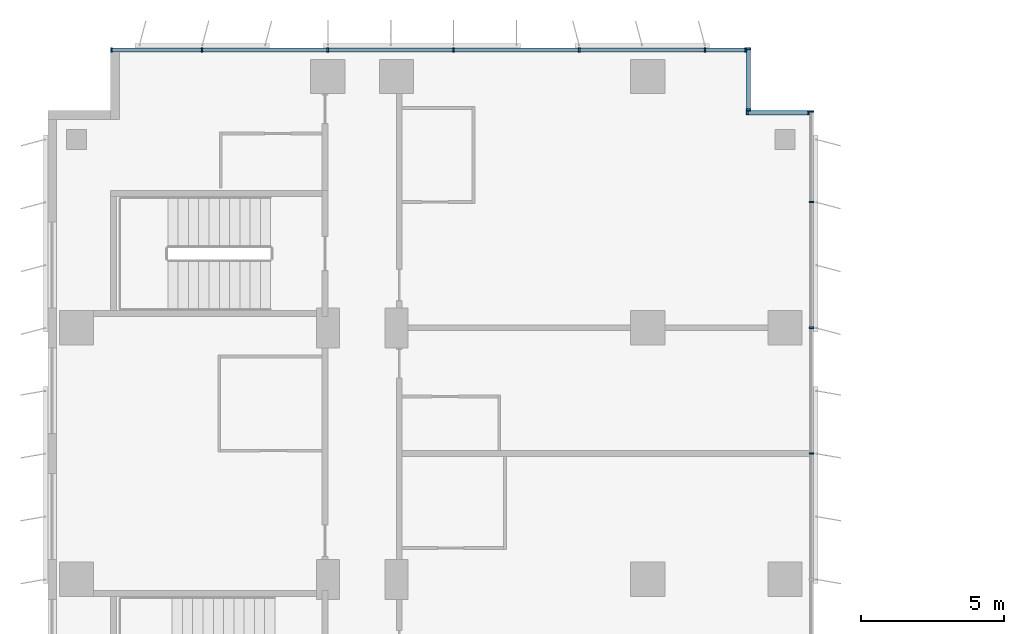
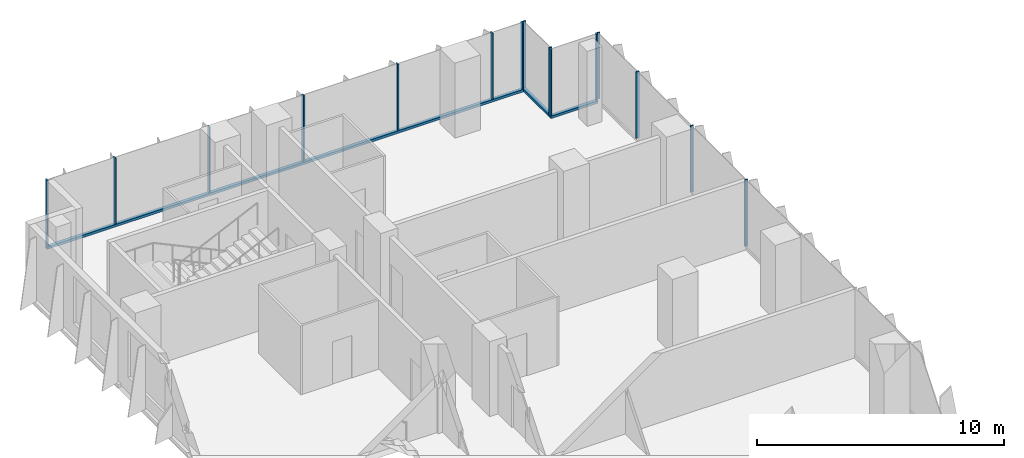
# One storey, part 9 of 27: 18 members, 4 elements without a shape of their own.
"""IFC4 building model written with IfcOpenShell, lengths in metres."""

from ifc_helpers import new_model, si_unit, direction, frame, origin, origin_2d, place, context, subcontext, project, spatial, rectangle, extrude, source, transform, mapped, material, material_profile, profile_set, type_object, element, aggregate, save


model = new_model("IFC4")

# Units and contexts
model_context = context("Model", 3, precision=1e-05, world=origin(), true_north=direction((0.0, 1.0)))
body_context = subcontext(model_context, "Body", "Model", "MODEL_VIEW")
ifc_project = project(units=[si_unit("LENGTHUNIT", "METRE"), si_unit("AREAUNIT", "SQUARE_METRE"), si_unit("VOLUMEUNIT", "CUBIC_METRE"), si_unit("PLANEANGLEUNIT", "RADIAN"), si_unit("MASSUNIT", "GRAM", prefix="KILO")], contexts=[model_context])

# Site, building, storey
site_placement = place(None, origin())
site = spatial("IfcSite", under=ifc_project, at=site_placement, CompositionType="ELEMENT")
building_placement = place(site_placement, origin())
building = spatial("IfcBuilding", under=site, at=building_placement, Name="Kemantara Hotel Tower", CompositionType="ELEMENT")
storey_placement = place(building_placement, frame((0.0, 0.0, 83.39990234375)))
storey = spatial("IfcBuildingStorey", under=building, at=storey_placement, Name="L19", CompositionType="ELEMENT", Elevation=83.39990234375)

# Curtain wall, member
ifc_material_1 = material(Name="Low-E tinted double insulated glass 36 mm", Category="glass")
curtain_wall_type = type_object("IfcCurtainWallType", Name="TOWER CURTAIN WALL, FRONT FACES", PredefinedType="USERDEFINED", material=ifc_material_1)
curtain_wall_1_placement = place(storey_placement, origin())
curtain_wall_1 = element("IfcCurtainWall", 1, at=curtain_wall_1_placement, inside=storey, type_object=curtain_wall_type, Name="CW4 L19 T2-R01-1", ObjectType="TOWER CURTAIN WALL, FRONT FACES", PredefinedType="USERDEFINED")
ifc_material_2 = material(Name="Aluminium 6063-T6 bronze anodised", Category="aluminium")
ifc_material_profile_1 = material_profile(ifc_material_2, rectangle(XDim=0.14990234375, YDim=0.1201171875, at=origin_2d()), Name="TOWER CURTAIN WALL, FRONT FACES TRANSOM")
ifc_profile_set_1 = profile_set([ifc_material_profile_1], Name="Aluminium 6063-T6 bronze anodised")
member_type_1 = type_object("IfcMemberType", Name="TOWER CURTAIN WALL, FRONT FACES TRANSOM", PredefinedType="USERDEFINED", material=ifc_profile_set_1)
member_1_placement = place(storey_placement, frame((24.449951171875, 81.125, 0.06005859375), z_axis=(-1.0, 0.0, 0.0), x_axis=(0.0, -1.0, 0.0)))
member_1 = element("IfcMember", 2, at=member_1_placement, type_object=member_type_1, Name="CW4 sill transom T2-R01-1", ObjectType="TRANSOM", PredefinedType="USERDEFINED", context=body_context, shape_type="SweptSolid", body=[
    extrude(rectangle(XDim=0.14990234375, YDim=0.1201171875, at=origin_2d()), origin(), (0.0, 0.0, 1.0), 22.25),
])

curtain_wall_2_placement = place(storey_placement, origin())
curtain_wall_2 = element("IfcCurtainWall", 3, at=curtain_wall_2_placement, inside=storey, type_object=curtain_wall_type, Name="CW4 L19 T2-R00-1", ObjectType="TOWER CURTAIN WALL, FRONT FACES", PredefinedType="USERDEFINED")
member_2_placement = place(storey_placement, frame((24.52490234375, 79.0, 0.06005859375), z_axis=(0.0, 1.0, 0.0), x_axis=(-1.0, 0.0, 0.0)))
member_2 = element("IfcMember", 4, at=member_2_placement, type_object=member_type_1, Name="CW4 sill transom T2-R00-1", ObjectType="TRANSOM", PredefinedType="USERDEFINED", context=body_context, shape_type="SweptSolid", body=[
    extrude(rectangle(XDim=0.14990234375, YDim=0.1201171875, at=origin_2d()), origin(), (0.0, 0.0, 1.0), 2.199951171875),
])

curtain_wall_3_placement = place(storey_placement, origin())
curtain_wall_3 = element("IfcCurtainWall", 5, at=curtain_wall_3_placement, inside=storey, type_object=curtain_wall_type, Name="CW4 L19 T2-R15-1", ObjectType="TOWER CURTAIN WALL, FRONT FACES", PredefinedType="USERDEFINED")
member_3_placement = place(storey_placement, frame((26.64990234375, 78.925048828125, 0.06005859375), z_axis=(-1.0, 0.0, 0.0), x_axis=(0.0, -1.0, 0.0)))
member_3 = element("IfcMember", 6, at=member_3_placement, type_object=member_type_1, Name="CW4 sill transom T2-R15-1", ObjectType="TRANSOM", PredefinedType="USERDEFINED", context=body_context, shape_type="SweptSolid", body=[
    extrude(rectangle(XDim=0.14990234375, YDim=0.1201171875, at=origin_2d()), origin(), (0.0, 0.0, 1.0), 2.199951171875),
])

# Member
ifc_material_profile_2 = material_profile(ifc_material_2, rectangle(XDim=0.14990234375, YDim=0.06005859375, at=origin_2d()), Name="TOWER CURTAIN WALL, FRONT FACES MULLION")
ifc_profile_set_2 = profile_set([ifc_material_profile_2], Name="Aluminium 6063-T6 bronze anodised")
member_type_2 = type_object("IfcMemberType", Name="TOWER CURTAIN WALL, FRONT FACES MULLION", PredefinedType="MULLION", material=ifc_profile_set_2)
shared_shape = source(origin(), body_context, "Body", "SweptSolid", [
    extrude(rectangle(XDim=0.14990234375, YDim=0.06005859375, at=origin_2d()), origin(), (0.0, 0.0, 1.0), 3.280029296875),
])
member_4_placement = place(storey_placement, frame((24.419921875, 81.125, 0.1201171875), z_axis=(0.0, 0.0, 1.0), x_axis=(0.0, -1.0, 0.0)))
member_4 = element("IfcMember", 7, at=member_4_placement, type_object=member_type_2, Name="CW4 mullion T2-R01-1.1", PredefinedType="MULLION", context=body_context, shape_type="MappedRepresentation", body=[
    mapped(shared_shape, transform((0.0, 0.0, 0.0))),
])

member_5_placement = place(storey_placement, frame((23.0, 81.125, 0.1201171875), z_axis=(0.0, 0.0, 1.0), x_axis=(0.0, -1.0, 0.0)))
member_5 = element("IfcMember", 8, at=member_5_placement, type_object=member_type_2, Name="CW4 mullion T2-R01-1.2", PredefinedType="MULLION", context=body_context, shape_type="MappedRepresentation", body=[
    mapped(shared_shape, transform((0.0, 0.0, 0.0))),
])

member_6_placement = place(storey_placement, frame((18.60009765625, 81.125, 0.1201171875), z_axis=(0.0, 0.0, 1.0), x_axis=(0.0, -1.0, 0.0)))
member_6 = element("IfcMember", 9, at=member_6_placement, type_object=member_type_2, Name="CW4 mullion T2-R01-1.3", PredefinedType="MULLION", context=body_context, shape_type="MappedRepresentation", body=[
    mapped(shared_shape, transform((0.0, 0.0, 0.0))),
])

member_7_placement = place(storey_placement, frame((14.199951171875, 81.125, 0.1201171875), z_axis=(0.0, 0.0, 1.0), x_axis=(0.0, -1.0, 0.0)))
member_7 = element("IfcMember", 10, at=member_7_placement, type_object=member_type_2, Name="CW4 mullion T2-R01-1.4", PredefinedType="MULLION", context=body_context, shape_type="MappedRepresentation", body=[
    mapped(shared_shape, transform((0.0, 0.0, 0.0))),
])

member_8_placement = place(storey_placement, frame((9.800048828125, 81.125, 0.1201171875), z_axis=(0.0, 0.0, 1.0), x_axis=(0.0, -1.0, 0.0)))
member_8 = element("IfcMember", 11, at=member_8_placement, type_object=member_type_2, Name="CW4 mullion T2-R01-1.5", PredefinedType="MULLION", context=body_context, shape_type="MappedRepresentation", body=[
    mapped(shared_shape, transform((0.0, 0.0, 0.0))),
])

member_9_placement = place(storey_placement, frame((5.39990234375, 81.125, 0.1201171875), z_axis=(0.0, 0.0, 1.0), x_axis=(0.0, -1.0, 0.0)))
member_9 = element("IfcMember", 12, at=member_9_placement, type_object=member_type_2, Name="CW4 mullion T2-R01-1.6", PredefinedType="MULLION", context=body_context, shape_type="MappedRepresentation", body=[
    mapped(shared_shape, transform((0.0, 0.0, 0.0))),
])

member_10_placement = place(storey_placement, frame((2.22998046875, 81.125, 0.1201171875), z_axis=(0.0, 0.0, 1.0), x_axis=(0.0, -1.0, 0.0)))
member_10 = element("IfcMember", 13, at=member_10_placement, type_object=member_type_2, Name="CW4 mullion T2-R01-1.7", PredefinedType="MULLION", context=body_context, shape_type="MappedRepresentation", body=[
    mapped(shared_shape, transform((0.0, 0.0, 0.0))),
])

aggregate(curtain_wall_1, [member_1, member_4, member_5, member_6, member_7, member_8, member_9, member_10])

# Curtain wall, members
curtain_wall_4_placement = place(storey_placement, origin())
curtain_wall_4 = element("IfcCurtainWall", 14, at=curtain_wall_4_placement, inside=storey, type_object=curtain_wall_type, Name="CW4 L19 T2-R14-1", ObjectType="TOWER CURTAIN WALL, FRONT FACES", PredefinedType="USERDEFINED")
member_11_placement = place(storey_placement, frame((26.72509765625, 67.0, 0.1201171875), z_axis=(0.0, 0.0, 1.0), x_axis=(-1.0, 0.0, 0.0)))
member_11 = element("IfcMember", 15, at=member_11_placement, type_object=member_type_2, Name="CW4 mullion T2-R14-1.12", PredefinedType="MULLION", context=body_context, shape_type="MappedRepresentation", body=[
    mapped(shared_shape, transform((0.0, 0.0, 0.0))),
])
member_12_placement = place(storey_placement, frame((26.72509765625, 71.39990234375, 0.1201171875), z_axis=(0.0, 0.0, 1.0), x_axis=(-1.0, 0.0, 0.0)))
member_12 = element("IfcMember", 16, at=member_12_placement, type_object=member_type_2, Name="CW4 mullion T2-R14-1.13", PredefinedType="MULLION", context=body_context, shape_type="MappedRepresentation", body=[
    mapped(shared_shape, transform((0.0, 0.0, 0.0))),
])
member_13_placement = place(storey_placement, frame((26.72509765625, 75.800048828125, 0.1201171875), z_axis=(0.0, 0.0, 1.0), x_axis=(-1.0, 0.0, 0.0)))
member_13 = element("IfcMember", 17, at=member_13_placement, type_object=member_type_2, Name="CW4 mullion T2-R14-1.14", PredefinedType="MULLION", context=body_context, shape_type="MappedRepresentation", body=[
    mapped(shared_shape, transform((0.0, 0.0, 0.0))),
])
member_14_placement = place(storey_placement, frame((26.72509765625, 78.969970703125, 0.1201171875), z_axis=(0.0, 0.0, 1.0), x_axis=(-1.0, 0.0, 0.0)))
member_14 = element("IfcMember", 18, at=member_14_placement, type_object=member_type_2, Name="CW4 mullion T2-R14-1.15", PredefinedType="MULLION", context=body_context, shape_type="MappedRepresentation", body=[
    mapped(shared_shape, transform((0.0, 0.0, 0.0))),
])
aggregate(curtain_wall_4, [member_11, member_12, member_13, member_14])

# Member
member_15_placement = place(storey_placement, frame((24.52490234375, 79.030029296875, 0.1201171875), z_axis=(0.0, 0.0, 1.0), x_axis=(-1.0, 0.0, 0.0)))
member_15 = element("IfcMember", 19, at=member_15_placement, type_object=member_type_2, Name="CW4 mullion T2-R00-1.1", PredefinedType="MULLION", context=body_context, shape_type="MappedRepresentation", body=[
    mapped(shared_shape, transform((0.0, 0.0, 0.0))),
])

member_16_placement = place(storey_placement, frame((24.52490234375, 81.169921875, 0.1201171875), z_axis=(0.0, 0.0, 1.0), x_axis=(-1.0, 0.0, 0.0)))
member_16 = element("IfcMember", 20, at=member_16_placement, type_object=member_type_2, Name="CW4 mullion T2-R00-1.2", PredefinedType="MULLION", context=body_context, shape_type="MappedRepresentation", body=[
    mapped(shared_shape, transform((0.0, 0.0, 0.0))),
])

aggregate(curtain_wall_2, [member_2, member_15, member_16])

member_17_placement = place(storey_placement, frame((26.6201171875, 78.925048828125, 0.1201171875), z_axis=(0.0, 0.0, 1.0), x_axis=(0.0, -1.0, 0.0)))
member_17 = element("IfcMember", 21, at=member_17_placement, type_object=member_type_2, Name="CW4 mullion T2-R15-1.1", PredefinedType="MULLION", context=body_context, shape_type="MappedRepresentation", body=[
    mapped(shared_shape, transform((0.0, 0.0, 0.0))),
])

member_18_placement = place(storey_placement, frame((24.47998046875, 78.925048828125, 0.1201171875), z_axis=(0.0, 0.0, 1.0), x_axis=(0.0, -1.0, 0.0)))
member_18 = element("IfcMember", 22, at=member_18_placement, type_object=member_type_2, Name="CW4 mullion T2-R15-1.2", PredefinedType="MULLION", context=body_context, shape_type="MappedRepresentation", body=[
    mapped(shared_shape, transform((0.0, 0.0, 0.0))),
])

aggregate(curtain_wall_3, [member_3, member_17, member_18])

save(model, "model.ifc")
